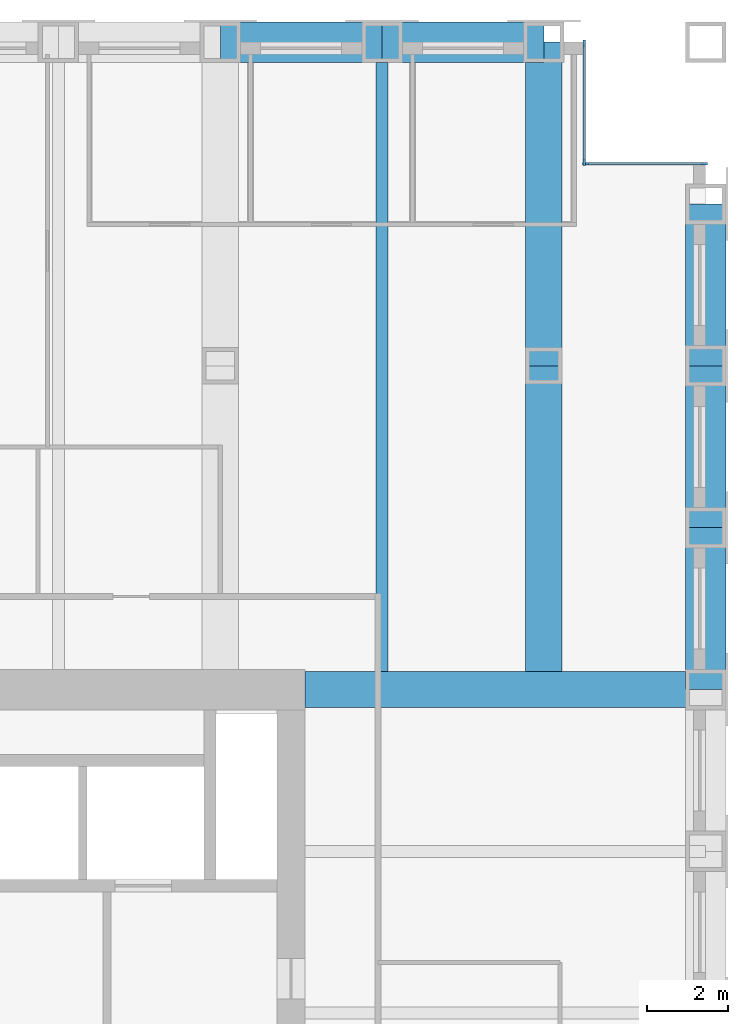
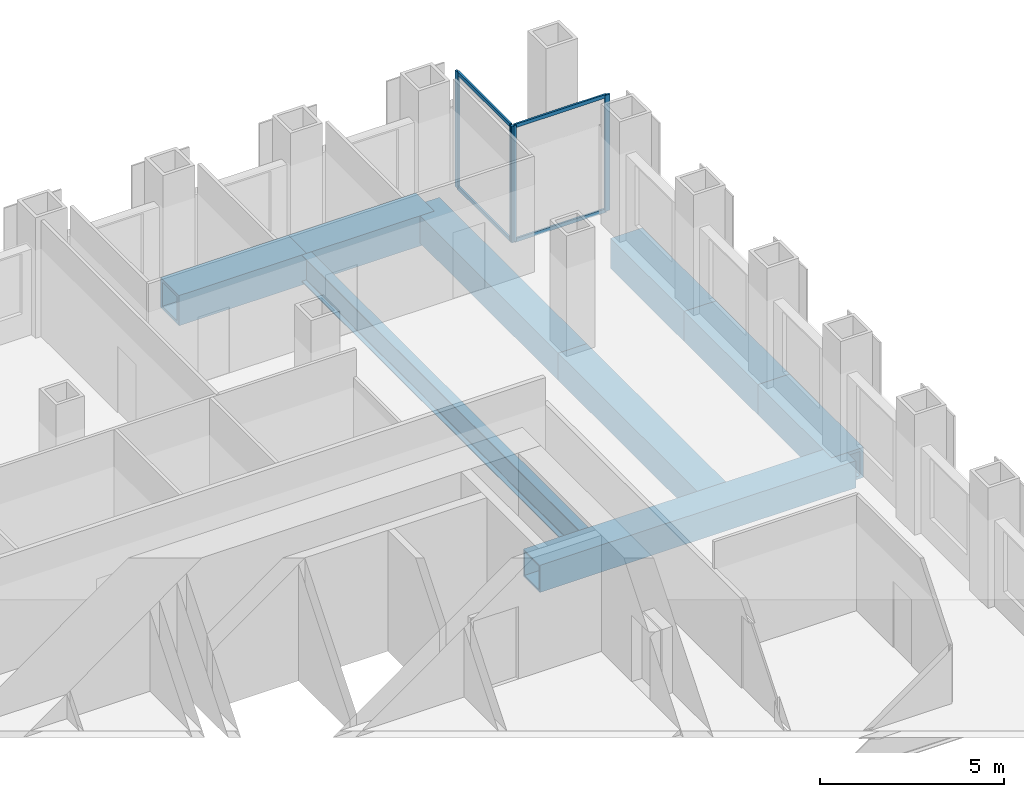
# One storey, part 6 of 12: 9 beams, 8 members, 2 elements without a shape of their own.
"""IFC4 building model written with IfcOpenShell, lengths in metres."""

import ifcopenshell
import ifcopenshell.guid

model = None  # the IFC model being written
_history = None  # IfcOwnerHistory: only IFC2X3 demands one
_inside = {}  # id of a spatial element -> (the spatial element, [elements in it])
_under = {}  # id of a project, library or spatial element -> (it, [spatial elements below it])
_declared = {}  # id of a project -> (the project, [libraries it declares])
_typed = {}  # id of a type object -> (the type object, [elements of that type])
_made_of = {}  # id of a material, layer set ... -> (it, [elements and type objects made of it])


def new_model(schema):
    """Start an empty IFC model of exactly this schema.

    Asked for "IFC4X3", IfcOpenShell would pick the latest addendum, in which some entities
    have other attributes; the version numbers below select the first issue.
    IFC2X3 requires an IfcOwnerHistory on every rooted entity: one is made here for all.
    """
    global model, _history
    if schema == "IFC4X3":
        model = ifcopenshell.file(schema_version=(4, 3, 0, 0))
    else:
        model = ifcopenshell.file(schema=schema)
    _inside.clear()
    _under.clear()
    _declared.clear()
    _typed.clear()
    _made_of.clear()
    _history = None
    if model.schema == "IFC2X3":
        org = make("IfcOrganization", Name="unknown")
        user = make(
            "IfcPersonAndOrganization",
            ThePerson=make("IfcPerson", FamilyName="unknown"),
            TheOrganization=org,
        )
        app = make(
            "IfcApplication",
            ApplicationDeveloper=org,
            Version="unknown",
            ApplicationFullName="unknown",
            ApplicationIdentifier="unknown",
        )
        _history = make(
            "IfcOwnerHistory",
            OwningUser=user,
            OwningApplication=app,
            ChangeAction="ADDED",
            CreationDate=0,
        )
    return model


def make(cls, **values):
    """One entity of the class cls with the attributes given. An attribute that is None is left unset."""
    return model.create_entity(
        cls, **{name: value for name, value in values.items() if value is not None}
    )


def rooted(cls, **values):
    """An entity with a GlobalId (a new one), such as an element, a storey or a relation."""
    return make(cls, GlobalId=ifcopenshell.guid.new(), OwnerHistory=_history, **values)


def si_unit(unit_type, name, prefix=None):
    """IfcSIUnit, for example si_unit("LENGTHUNIT", "METRE", prefix="MILLI")."""
    return make("IfcSIUnit", UnitType=unit_type, Prefix=prefix, Name=name)


def assignment(units):
    """IfcUnitAssignment: the units of a project."""
    return None if units is None else make("IfcUnitAssignment", Units=units)


def point(xyz):
    """IfcCartesianPoint."""
    return None if xyz is None else make("IfcCartesianPoint", Coordinates=xyz)


def direction(xyz):
    """IfcDirection."""
    return None if xyz is None else make("IfcDirection", DirectionRatios=xyz)


def frame(location, z_axis=None, x_axis=None):
    """IfcAxis2Placement3D, a coordinate frame: its origin and axes. An axis left out is left unset."""
    return make(
        "IfcAxis2Placement3D",
        Location=point(location),
        Axis=direction(z_axis),
        RefDirection=direction(x_axis),
    )


def frame_2d(location, x_axis=None):
    """IfcAxis2Placement2D, a coordinate frame in the plane: its origin and x axis."""
    return make(
        "IfcAxis2Placement2D", Location=point(location), RefDirection=direction(x_axis)
    )


def origin():
    """The frame at (0, 0, 0) with its axes left unset."""
    return frame((0.0, 0.0, 0.0))


def origin_2d():
    """The frame at (0, 0) in the plane with its x axis left unset."""
    return frame_2d((0.0, 0.0))


def place(relative_to, where):
    """IfcLocalPlacement: puts the frame where relative to a parent placement (None: the world)."""
    return make(
        "IfcLocalPlacement", PlacementRelTo=relative_to, RelativePlacement=where
    )


def context(
    kind, dimensions, precision=None, world=None, true_north=None, identifier=None
):
    """IfcGeometricRepresentationContext, for example the 3D "Model" context."""
    return make(
        "IfcGeometricRepresentationContext",
        ContextIdentifier=identifier,
        ContextType=kind,
        CoordinateSpaceDimension=dimensions,
        Precision=precision,
        WorldCoordinateSystem=world,
        TrueNorth=true_north,
    )


def subcontext(parent, identifier, kind, view, scale=None):
    """IfcGeometricRepresentationSubContext, for example "Body" below "Model"."""
    return make(
        "IfcGeometricRepresentationSubContext",
        ContextIdentifier=identifier,
        ContextType=kind,
        ParentContext=parent,
        TargetScale=scale,
        TargetView=view,
    )


def project(units=None, contexts=None):
    """IfcProject with its units and contexts."""
    return rooted(
        "IfcProject",
        Name="project",
        RepresentationContexts=contexts,
        UnitsInContext=assignment(units),
    )


def spatial(cls, under=None, at=None, **own):
    """A site, building, storey or space (cls), placed at a placement, below another one or the project."""
    s = rooted(cls, ObjectPlacement=at, **own)
    if under is not None:
        _under.setdefault(under.id(), (under, []))[1].append(s)
    return s


def profile(cls, at=None, kind="AREA", **sizes):
    """A parametric profile (cls). Its sizes go by their IFC names, for example OverallWidth=200.0."""
    return make(cls, ProfileType=kind, Position=at, **sizes)


def rectangle(**sizes):
    """IfcRectangleProfileDef."""
    return profile("IfcRectangleProfileDef", **sizes)


def hollow_rectangle(**sizes):
    """IfcRectangleHollowProfileDef."""
    return profile("IfcRectangleHollowProfileDef", **sizes)


def i_section(**sizes):
    """IfcIShapeProfileDef."""
    return profile("IfcIShapeProfileDef", **sizes)


def extrude(swept, where, along, depth):
    """IfcExtrudedAreaSolid: the profile swept, set in the frame where, extruded along a direction by depth."""
    return make(
        "IfcExtrudedAreaSolid",
        SweptArea=swept,
        Position=where,
        ExtrudedDirection=direction(along),
        Depth=depth,
    )


def shape(context_of_items, identifier, shape_type, items):
    """IfcShapeRepresentation: the items that make up one representation, for example the "Body"."""
    return make(
        "IfcShapeRepresentation",
        ContextOfItems=context_of_items,
        RepresentationIdentifier=identifier,
        RepresentationType=shape_type,
        Items=items,
    )


def material(Name=None, Category=None):
    """IfcMaterial."""
    return make("IfcMaterial", Name=Name, Category=Category)


def material_profile(
    of_material, cross_section, Name=None, Category=None, Priority=None
):
    """IfcMaterialProfile: a cross section and its material."""
    return make(
        "IfcMaterialProfile",
        Name=Name,
        Material=of_material,
        Profile=cross_section,
        Priority=Priority,
        Category=Category,
    )


def profile_set(profiles, Name=None, composite=None):
    """IfcMaterialProfileSet."""
    return make(
        "IfcMaterialProfileSet",
        Name=Name,
        MaterialProfiles=profiles,
        CompositeProfile=composite,
    )


def made_of(thing, what):
    """Note that an element or type object is made of a material, layer set ...; save() writes the relation."""
    if what is not None:
        _made_of.setdefault(what.id(), (what, []))[1].append(thing)
    return thing


def type_object(cls, material=None, **own):
    """A type object (cls), such as IfcWallType, which elements share."""
    return made_of(rooted(cls, **own), material)


def element(
    cls,
    number,
    at=None,
    inside=None,
    cuts=None,
    type_object=None,
    material=None,
    context=None,
    identifier="Body",
    shape_type=None,
    held_by="IfcProductDefinitionShape",
    body=None,
    shapes=None,
    **own,
):
    """One element of the class cls, such as IfcWall. Its Tag is "e" and its number.

    at: its placement. inside: the storey or other place that contains it. cuts: it is an
    opening in that element (IfcRelVoidsElement). A single representation is given by context,
    identifier, shape_type and body (its items); several are given by shapes. held_by: the class
    of the entity that holds the representations. save() writes the other relations.
    """
    e = rooted(cls, Tag="e%d" % number, ObjectPlacement=at, **own)
    if body is not None:
        shapes = [shape(context, identifier, shape_type, body)]
    if shapes is not None:
        e.Representation = make(held_by, Representations=shapes)
    if inside is not None:
        _inside.setdefault(inside.id(), (inside, []))[1].append(e)
    if cuts is not None:
        rooted(
            "IfcRelVoidsElement", RelatingBuildingElement=cuts, RelatedOpeningElement=e
        )
    if type_object is not None:
        _typed.setdefault(type_object.id(), (type_object, []))[1].append(e)
    return made_of(e, material)


def aggregate(whole, parts):
    """IfcRelAggregates: a whole, such as a stair, and the parts it consists of."""
    return rooted("IfcRelAggregates", RelatingObject=whole, RelatedObjects=parts)


def save(model, path):
    """Write the relations noted so far, then the file.

    IfcRelAggregates (storeys below a building ...), IfcRelContainedInSpatialStructure (elements
    in a storey), IfcRelDefinesByType, IfcRelAssociatesMaterial and IfcRelDeclares: one each for
    every whole, place, type object, material and project.
    """
    for whole, parts in _under.values():
        aggregate(whole, parts)
    for where, things in _inside.values():
        rooted(
            "IfcRelContainedInSpatialStructure",
            RelatedElements=things,
            RelatingStructure=where,
        )
    for kind, things in _typed.values():
        rooted("IfcRelDefinesByType", RelatedObjects=things, RelatingType=kind)
    for what, things in _made_of.values():
        rooted("IfcRelAssociatesMaterial", RelatedObjects=things, RelatingMaterial=what)
    for by, libraries in _declared.values():
        rooted("IfcRelDeclares", RelatingContext=by, RelatedDefinitions=libraries)
    model.write(path)


model = new_model("IFC4")

# Units and contexts
model_context = context("Model", 3, precision=1e-05, world=origin(), true_north=direction((0.0, 1.0)))
body_context = subcontext(model_context, "Body", "Model", "MODEL_VIEW")
ifc_project = project(units=[si_unit("LENGTHUNIT", "METRE"), si_unit("AREAUNIT", "SQUARE_METRE"), si_unit("VOLUMEUNIT", "CUBIC_METRE"), si_unit("PLANEANGLEUNIT", "RADIAN"), si_unit("MASSUNIT", "GRAM", prefix="KILO")], contexts=[model_context])

# Site, building, storey
site_placement = place(None, origin())
site = spatial("IfcSite", under=ifc_project, at=site_placement, CompositionType="ELEMENT")
building_placement = place(site_placement, origin())
building = spatial("IfcBuilding", under=site, at=building_placement, Name="Rimbunsela Tower", CompositionType="ELEMENT")
storey_placement = place(building_placement, frame((0.0, 0.0, 159.800048828125)))
storey = spatial("IfcBuildingStorey", under=building, at=storey_placement, Name="L38", CompositionType="ELEMENT", Elevation=159.800048828125)

# Beams
ifc_material_1 = material(Name="Steel BJ 55 (fy 410 MPa)", Category="steel")
ifc_material_profile_1 = material_profile(ifc_material_1, hollow_rectangle(XDim=1.0, YDim=1.0, WallThickness=0.10009765625, at=origin_2d()), Name="BOX 1000x1000x100")
ifc_profile_set_1 = profile_set([ifc_material_profile_1], Name="Steel BJ 55 (fy 410 MPa)")
beam_type_1 = type_object("IfcBeamType", Name="Beam BOX 1000x1000x100", PredefinedType="BEAM", material=ifc_profile_set_1)
for number, where, z_axis, x_axis, name in (
    (1, (34.0, 52.0, -0.650146484375), (1.0, 0.0, 0.0), (0.0, 1.0, 0.0), "Beam B3 L38"),
    (2, (38.0, 52.0, -0.650146484375), (1.0, 0.0, 0.0), (0.0, 1.0, 0.0), "Beam B3 L38"),
    (3, (46.0, 36.0, -0.650146484375), (0.0, 1.0, 0.0), (-1.0, 0.0, 0.0), "Beam B3 L38"),
    (4, (46.0, 40.0, -0.650146484375), (0.0, 1.0, 0.0), (-1.0, 0.0, 0.0), "Beam B3 L38"),
    (5, (46.0, 44.0, -0.650146484375), (0.0, 1.0, 0.0), (-1.0, 0.0, 0.0), "Beam B3 L38"),
):
    element("IfcBeam", number, at=place(storey_placement, frame(where, z_axis=z_axis, x_axis=x_axis)), inside=storey, type_object=beam_type_1, Name=name, PredefinedType="BEAM", context=body_context, shape_type="SweptSolid", body=[
        extrude(hollow_rectangle(XDim=1.0, YDim=1.0, WallThickness=0.10009765625, at=origin_2d()), origin(), (0.0, 0.0, 1.0), 4.0),
    ])
ifc_material_2 = material(Name="Steel BJ 55 (fy 410 MPa)", Category="steel")
ifc_material_profile_2 = material_profile(ifc_material_2, hollow_rectangle(XDim=0.89990234375, YDim=0.89990234375, WallThickness=0.06005859375, at=origin_2d()), Name="BOX 900x900x60")
ifc_profile_set_2 = profile_set([ifc_material_profile_2], Name="Steel BJ 55 (fy 410 MPa)")
beam_type_2 = type_object("IfcBeamType", Name="Beam BOX 900x900x60", PredefinedType="BEAM", material=ifc_profile_set_2)
beam_1_placement = place(storey_placement, frame((36.10009765625, 36.0, -0.60009765625), z_axis=(1.0, 0.0, 0.0), x_axis=(0.0, 1.0, 0.0)))
element("IfcBeam", 6, at=beam_1_placement, inside=storey, type_object=beam_type_2, Name="Beam B1 L38", PredefinedType="BEAM", context=body_context, shape_type="SweptSolid", body=[
    extrude(hollow_rectangle(XDim=0.89990234375, YDim=0.89990234375, WallThickness=0.06005859375, at=origin_2d()), origin(), (0.0, 0.0, 1.0), 9.89990234375),
])
beam_2_placement = place(storey_placement, frame((42.0, 36.449951171875, -0.60009765625), z_axis=(0.0, 1.0, 0.0), x_axis=(-1.0, 0.0, 0.0)))
element("IfcBeam", 7, at=beam_2_placement, inside=storey, type_object=beam_type_2, Name="Beam B1 L38", PredefinedType="BEAM", context=body_context, shape_type="SweptSolid", body=[
    extrude(hollow_rectangle(XDim=0.89990234375, YDim=0.89990234375, WallThickness=0.06005859375, at=origin_2d()), origin(), (0.0, 0.0, 1.0), 7.550048828125),
])
beam_3_placement = place(storey_placement, frame((42.0, 44.0, -0.60009765625), z_axis=(0.0, 1.0, 0.0), x_axis=(-1.0, 0.0, 0.0)))
element("IfcBeam", 8, at=beam_3_placement, inside=storey, type_object=beam_type_2, Name="Beam B1 L38", PredefinedType="BEAM", context=body_context, shape_type="SweptSolid", body=[
    extrude(hollow_rectangle(XDim=0.89990234375, YDim=0.89990234375, WallThickness=0.06005859375, at=origin_2d()), origin(), (0.0, 0.0, 1.0), 8.0),
])
ifc_material_3 = material(Name="Steel BJ 55 (fy 410 MPa)", Category="steel")
ifc_material_profile_3 = material_profile(ifc_material_3, i_section(OverallWidth=0.300048828125, OverallDepth=0.89990234375, WebThickness=0.01611328125, FlangeThickness=0.028076171875, FilletRadius=0.028076171875, at=origin_2d()), Name="H 900x300x16x28")
ifc_profile_set_3 = profile_set([ifc_material_profile_3], Name="Steel BJ 55 (fy 410 MPa)")
beam_type_3 = type_object("IfcBeamType", Name="Beam H 900x300x16x28", PredefinedType="BEAM", material=ifc_profile_set_3)
beam_4_placement = place(storey_placement, frame((38.0, 36.449951171875, -0.60009765625), z_axis=(0.0, 1.0, 0.0), x_axis=(-1.0, 0.0, 0.0)))
element("IfcBeam", 9, at=beam_4_placement, inside=storey, type_object=beam_type_3, Name="Beam B2 L38", PredefinedType="BEAM", context=body_context, shape_type="SweptSolid", body=[
    extrude(i_section(OverallWidth=0.300048828125, OverallDepth=0.89990234375, WebThickness=0.01611328125, FlangeThickness=0.028076171875, FilletRadius=0.028076171875, at=origin_2d()), origin(), (0.0, 0.0, 1.0), 15.550048828125),
])

# Curtain wall, members
ifc_material_4 = material(Name="Aluminium curtain wall", Category="aluminium")
curtain_wall_type = type_object("IfcCurtainWallType", Name="Corner glazing", PredefinedType="USERDEFINED", material=ifc_material_4)
curtain_wall_1_placement = place(storey_placement, origin())
curtain_wall_1 = element("IfcCurtainWall", 10, at=curtain_wall_1_placement, inside=storey, type_object=curtain_wall_type, Name="Corner glazing L38", ObjectType="CORNER GLAZING", PredefinedType="USERDEFINED")
ifc_material_5 = material(Name="Aluminium mullion", Category="aluminium")
ifc_material_profile_4 = material_profile(ifc_material_5, rectangle(XDim=0.06005859375, YDim=0.159912109375, at=origin_2d()), Name="Mullion 60x160")
ifc_profile_set_4 = profile_set([ifc_material_profile_4], Name="Aluminium mullion")
member_type_1 = type_object("IfcMemberType", Name="Curtain wall mullion 60x160", PredefinedType="MULLION", material=ifc_profile_set_4)
member_1_placement = place(storey_placement, frame((45.969970703125, 49.0, 0.0), z_axis=(0.0, 0.0, 1.0), x_axis=(0.0, -1.0, 0.0)))
member_1 = element("IfcMember", 11, at=member_1_placement, type_object=member_type_1, Name="CW5 mullion 1", PredefinedType="MULLION", context=body_context, shape_type="SweptSolid", body=[
    extrude(rectangle(XDim=0.06005859375, YDim=0.159912109375, at=origin_2d()), origin(), (0.0, 0.0, 1.0), 3.849853515625),
])
member_2_placement = place(storey_placement, frame((43.030029296875, 49.0, 0.0), z_axis=(0.0, 0.0, 1.0), x_axis=(0.0, -1.0, 0.0)))
member_2 = element("IfcMember", 12, at=member_2_placement, type_object=member_type_1, Name="CW5 mullion 2", PredefinedType="MULLION", context=body_context, shape_type="SweptSolid", body=[
    extrude(rectangle(XDim=0.06005859375, YDim=0.159912109375, at=origin_2d()), origin(), (0.0, 0.0, 1.0), 3.849853515625),
])

curtain_wall_2_placement = place(storey_placement, origin())
curtain_wall_2 = element("IfcCurtainWall", 13, at=curtain_wall_2_placement, inside=storey, type_object=curtain_wall_type, Name="Corner glazing L38", ObjectType="CORNER GLAZING", PredefinedType="USERDEFINED")
member_3_placement = place(storey_placement, frame((43.0, 49.030029296875, 0.0), z_axis=(0.0, 0.0, 1.0), x_axis=(-1.0, 0.0, 0.0)))
member_3 = element("IfcMember", 14, at=member_3_placement, type_object=member_type_1, Name="CW5 mullion 1", PredefinedType="MULLION", context=body_context, shape_type="SweptSolid", body=[
    extrude(rectangle(XDim=0.06005859375, YDim=0.159912109375, at=origin_2d()), origin(), (0.0, 0.0, 1.0), 3.849853515625),
])
member_4_placement = place(storey_placement, frame((43.0, 51.969970703125, 0.0), z_axis=(0.0, 0.0, 1.0), x_axis=(-1.0, 0.0, 0.0)))
member_4 = element("IfcMember", 15, at=member_4_placement, type_object=member_type_1, Name="CW5 mullion 2", PredefinedType="MULLION", context=body_context, shape_type="SweptSolid", body=[
    extrude(rectangle(XDim=0.06005859375, YDim=0.159912109375, at=origin_2d()), origin(), (0.0, 0.0, 1.0), 3.849853515625),
])

# Member
ifc_material_6 = material(Name="Aluminium transom", Category="aluminium")
ifc_material_profile_5 = material_profile(ifc_material_6, rectangle(XDim=0.06005859375, YDim=0.1201171875, at=origin_2d()), Name="Transom 60x120")
ifc_profile_set_5 = profile_set([ifc_material_profile_5], Name="Aluminium transom")
member_type_2 = type_object("IfcMemberType", Name="Curtain wall transom 60x120", PredefinedType="USERDEFINED", material=ifc_profile_set_5)
member_5_placement = place(storey_placement, frame((45.93994140625, 49.0, 0.030029296875), z_axis=(-1.0, 0.0, 0.0), x_axis=(0.0, -1.0, 0.0)))
member_5 = element("IfcMember", 16, at=member_5_placement, type_object=member_type_2, Name="CW5 transom 1.1", ObjectType="TRANSOM", PredefinedType="USERDEFINED", context=body_context, shape_type="SweptSolid", body=[
    extrude(rectangle(XDim=0.06005859375, YDim=0.1201171875, at=origin_2d()), origin(), (0.0, 0.0, 1.0), 2.8798828125),
])

member_6_placement = place(storey_placement, frame((45.93994140625, 49.0, 3.820068359375), z_axis=(-1.0, 0.0, 0.0), x_axis=(0.0, -1.0, 0.0)))
member_6 = element("IfcMember", 17, at=member_6_placement, type_object=member_type_2, Name="CW5 transom 1.2", ObjectType="TRANSOM", PredefinedType="USERDEFINED", context=body_context, shape_type="SweptSolid", body=[
    extrude(rectangle(XDim=0.06005859375, YDim=0.1201171875, at=origin_2d()), origin(), (0.0, 0.0, 1.0), 2.8798828125),
])

aggregate(curtain_wall_1, [member_1, member_2, member_5, member_6])

member_7_placement = place(storey_placement, frame((43.0, 49.06005859375, 0.030029296875), z_axis=(0.0, 1.0, 0.0), x_axis=(-1.0, 0.0, 0.0)))
member_7 = element("IfcMember", 18, at=member_7_placement, type_object=member_type_2, Name="CW5 transom 1.1", ObjectType="TRANSOM", PredefinedType="USERDEFINED", context=body_context, shape_type="SweptSolid", body=[
    extrude(rectangle(XDim=0.06005859375, YDim=0.1201171875, at=origin_2d()), origin(), (0.0, 0.0, 1.0), 2.8798828125),
])

member_8_placement = place(storey_placement, frame((43.0, 49.06005859375, 3.820068359375), z_axis=(0.0, 1.0, 0.0), x_axis=(-1.0, 0.0, 0.0)))
member_8 = element("IfcMember", 19, at=member_8_placement, type_object=member_type_2, Name="CW5 transom 1.2", ObjectType="TRANSOM", PredefinedType="USERDEFINED", context=body_context, shape_type="SweptSolid", body=[
    extrude(rectangle(XDim=0.06005859375, YDim=0.1201171875, at=origin_2d()), origin(), (0.0, 0.0, 1.0), 2.8798828125),
])

aggregate(curtain_wall_2, [member_3, member_4, member_7, member_8])

save(model, "model.ifc")
